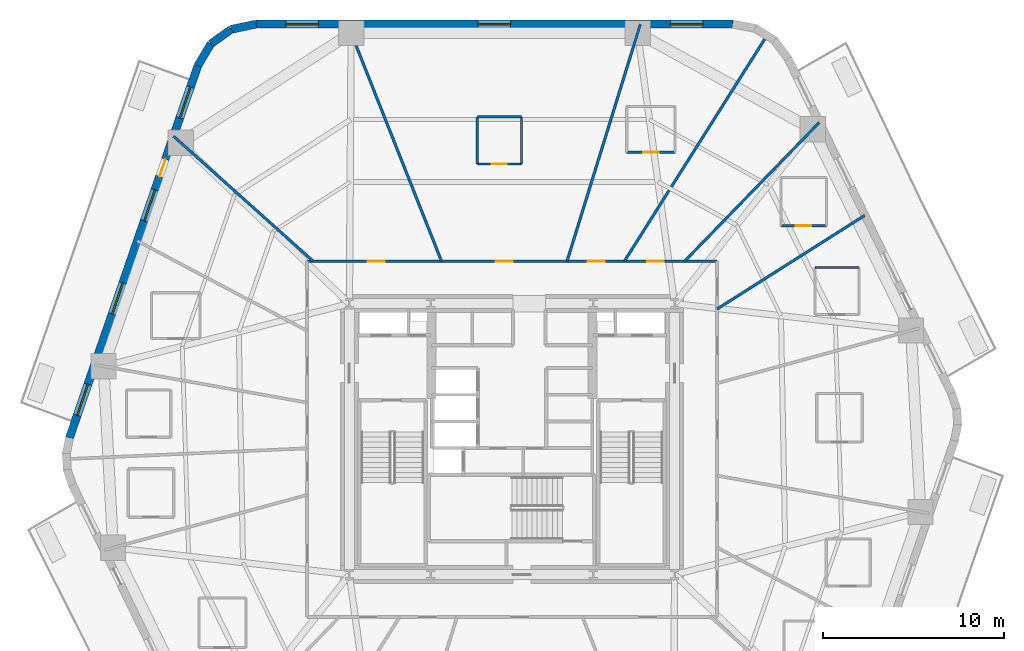
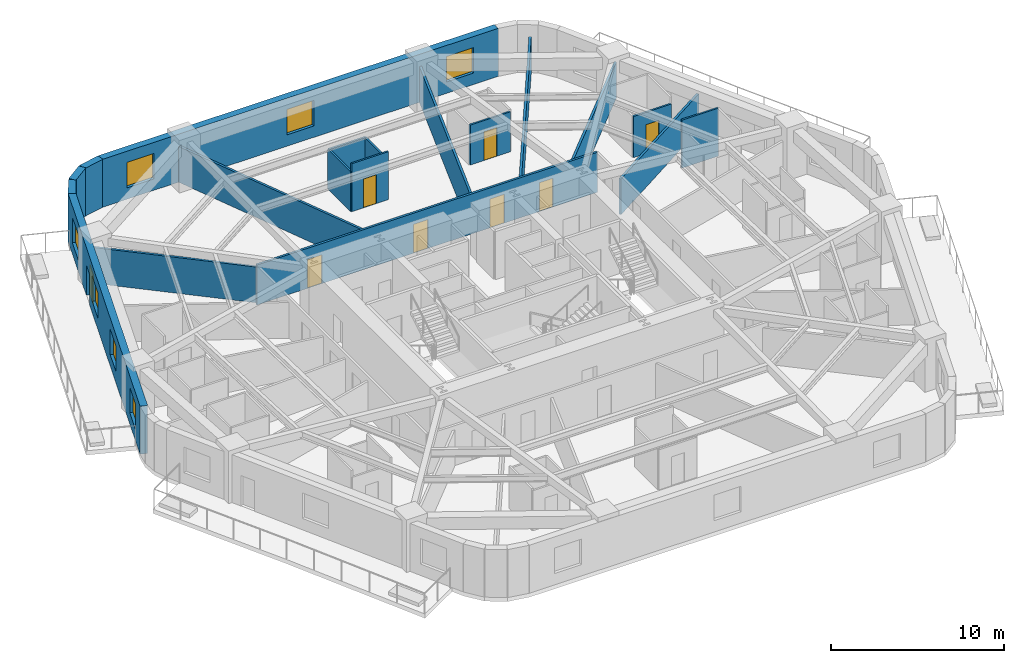
# One storey, part 6 of 10: 19 walls, 8 doors, 7 windows, 15 openings.
"""IFC4 building model written with IfcOpenShell, lengths in metres."""

from ifc_helpers import new_model, si_unit, direction, frame, frame_2d, origin, place, context, subcontext, project, spatial, rectangle, extrude, material, layer, layer_set, type_object, element, fill, save


model = new_model("IFC4")

# Units and contexts
model_context = context("Model", 3, precision=1e-05, world=origin(), true_north=direction((0.0, 1.0)))
body_context = subcontext(model_context, "Body", "Model", "MODEL_VIEW")
ifc_project = project(units=[si_unit("LENGTHUNIT", "METRE"), si_unit("AREAUNIT", "SQUARE_METRE"), si_unit("VOLUMEUNIT", "CUBIC_METRE"), si_unit("PLANEANGLEUNIT", "RADIAN"), si_unit("MASSUNIT", "GRAM", prefix="KILO")], contexts=[model_context])

# Site, building, storey
site_placement = place(None, origin())
site = spatial("IfcSite", under=ifc_project, at=site_placement, CompositionType="ELEMENT")
building_placement = place(site_placement, origin())
building = spatial("IfcBuilding", under=site, at=building_placement, Name="Kilnhurst Terrace Hotel", CompositionType="ELEMENT")
storey_placement = place(building_placement, frame((0.0, 0.0, 82.300048828125)))
storey = spatial("IfcBuildingStorey", under=building, at=storey_placement, Name="L19", CompositionType="ELEMENT", Elevation=82.300048828125)

# Walls
ifc_material_1 = material(Name="Precast concrete C40/50", Category="concrete")
ifc_layer_1 = layer(ifc_material_1, 0.449951171875, Name="Precast concrete C40/50")
ifc_layer_set_1 = layer_set([ifc_layer_1], Name="Precast concrete C40/50")
wall_type_1 = type_object("IfcWallType", Name="WL-BRK-450", PredefinedType="SOLIDWALL", material=ifc_layer_set_1)
wall_1_placement = place(storey_placement, frame((-14.168212890625, 22.97509765625, 0.0), z_axis=(0.0, 0.0, 1.0), x_axis=(-0.978770371074, -0.204959900243, 0.0)))
element("IfcWall", 1, at=wall_1_placement, inside=storey, type_object=wall_type_1, Name="L19 Rounded Corner Brick Wall C5.1", PredefinedType="SOLIDWALL", context=body_context, shape_type="SweptSolid", body=[
    extrude(rectangle(XDim=1.405517578125, YDim=0.449951171875, at=frame_2d((0.70263671875, 0.0))), origin(), (0.0, 0.0, 1.0), 3.3798828125),
])
wall_2_placement = place(storey_placement, frame((-15.5439453125, 22.68701171875, 0.0), z_axis=(0.0, 0.0, 1.0), x_axis=(-0.814210854316, -0.580569276412, 0.0)))
element("IfcWall", 2, at=wall_2_placement, inside=storey, type_object=wall_type_1, Name="L19 Rounded Corner Brick Wall C5.2", PredefinedType="SOLIDWALL", context=body_context, shape_type="SweptSolid", body=[
    extrude(rectangle(XDim=1.38134765625, YDim=0.449951171875, at=frame_2d((0.690673828125, 0.0))), origin(), (0.0, 0.0, 1.0), 3.3798828125),
])
wall_3_placement = place(storey_placement, frame((-16.668701171875, 21.885009765625, 0.0), z_axis=(0.0, 0.0, 1.0), x_axis=(-0.512936712947, -0.858426425799, 0.0)))
element("IfcWall", 3, at=wall_3_placement, inside=storey, type_object=wall_type_1, Name="L19 Rounded Corner Brick Wall C5.3", PredefinedType="SOLIDWALL", context=body_context, shape_type="SweptSolid", body=[
    extrude(rectangle(XDim=1.405517578125, YDim=0.449951171875, at=frame_2d((0.70263671875, 0.0))), origin(), (0.0, 0.0, 1.0), 3.3798828125),
])

# Wall, openings, windows
wall_4_placement = place(storey_placement, frame((12.220947265625, 22.97509765625, 0.0), z_axis=(0.0, 0.0, 1.0), x_axis=(-1.0, 0.0, 0.0)))
wall_4 = element("IfcWall", 4, at=wall_4_placement, inside=storey, type_object=wall_type_1, Name="L19 Exterior Brick Facade Wall F4", PredefinedType="SOLIDWALL", context=body_context, shape_type="SweptSolid", body=[
    extrude(rectangle(XDim=26.38916015625, YDim=0.449951171875, at=frame_2d((13.194580078125, 0.0))), origin(), (0.0, 0.0, 1.0), 3.3798828125),
])
opening_1_placement = place(wall_4_placement, frame((1.653076171875, 0.0, 0.800048828125)))
opening_1 = element("IfcOpeningElement", 5, at=opening_1_placement, cuts=wall_4, Name="Opening W-01", PredefinedType="OPENING", context=body_context, shape_type="SweptSolid", body=[
    extrude(rectangle(XDim=1.800048828125, YDim=1.800048828125, at=frame_2d((0.89990234375, 0.89990234375))), frame((0.0, 0.23486328125, 0.0), z_axis=(0.0, -1.0, 0.0), x_axis=(1.0, 0.0, 0.0)), (0.0, 0.0, 1.0), 0.469970703125),
])
opening_2_placement = place(wall_4_placement, frame((12.2958984375, 0.0, 0.800048828125)))
opening_2 = element("IfcOpeningElement", 6, at=opening_2_placement, cuts=wall_4, Name="Opening W-01", PredefinedType="OPENING", context=body_context, shape_type="SweptSolid", body=[
    extrude(rectangle(XDim=1.800048828125, YDim=1.800048828125, at=frame_2d((0.89990234375, 0.89990234375))), frame((0.0, 0.23486328125, 0.0), z_axis=(0.0, -1.0, 0.0), x_axis=(1.0, 0.0, 0.0)), (0.0, 0.0, 1.0), 0.469970703125),
])
opening_3_placement = place(wall_4_placement, frame((22.93798828125, 0.0, 0.800048828125)))
opening_3 = element("IfcOpeningElement", 7, at=opening_3_placement, cuts=wall_4, Name="Opening W-01", PredefinedType="OPENING", context=body_context, shape_type="SweptSolid", body=[
    extrude(rectangle(XDim=1.800048828125, YDim=1.800048828125, at=frame_2d((0.89990234375, 0.89990234375))), frame((0.0, 0.23486328125, 0.0), z_axis=(0.0, -1.0, 0.0), x_axis=(1.0, 0.0, 0.0)), (0.0, 0.0, 1.0), 0.469970703125),
])
ifc_material_2 = material(Name="Thermally Broken Bronze Aluminium Alloy 6063-T6 and Low-E Glass", Category="aluminium")
window_type = type_object("IfcWindowType", Name="WIN-1800X1800", PartitioningType="SINGLE_PANEL", PredefinedType="WINDOW", material=ifc_material_2)
window_1_placement = place(opening_1_placement, origin())
window_1 = element("IfcWindow", 8, at=window_1_placement, inside=storey, type_object=window_type, Name="L19 Deep-Set Masonry Window F4.1", OverallHeight=1.800048828125, OverallWidth=1.800048828125, PartitioningType="SINGLE_PANEL", PredefinedType="WINDOW", context=body_context, shape_type="SweptSolid", body=[
    extrude(rectangle(XDim=1.800048828125, YDim=1.800048828125, at=frame_2d((0.89990234375, 0.89990234375))), frame((0.0, 0.030029296875, 0.0), z_axis=(0.0, -1.0, 0.0), x_axis=(1.0, 0.0, 0.0)), (0.0, 0.0, 1.0), 0.06005859375),
])
fill(opening_1, window_1)
window_2_placement = place(opening_2_placement, origin())
window_2 = element("IfcWindow", 9, at=window_2_placement, inside=storey, type_object=window_type, Name="L19 Deep-Set Masonry Window F4.2", OverallHeight=1.800048828125, OverallWidth=1.800048828125, PartitioningType="SINGLE_PANEL", PredefinedType="WINDOW", context=body_context, shape_type="SweptSolid", body=[
    extrude(rectangle(XDim=1.800048828125, YDim=1.800048828125, at=frame_2d((0.89990234375, 0.89990234375))), frame((0.0, 0.030029296875, 0.0), z_axis=(0.0, -1.0, 0.0), x_axis=(1.0, 0.0, 0.0)), (0.0, 0.0, 1.0), 0.06005859375),
])
fill(opening_2, window_2)
window_3_placement = place(opening_3_placement, origin())
window_3 = element("IfcWindow", 10, at=window_3_placement, inside=storey, type_object=window_type, Name="L19 Deep-Set Masonry Window F4.3", OverallHeight=1.800048828125, OverallWidth=1.800048828125, PartitioningType="SINGLE_PANEL", PredefinedType="WINDOW", context=body_context, shape_type="SweptSolid", body=[
    extrude(rectangle(XDim=1.800048828125, YDim=1.800048828125, at=frame_2d((0.89990234375, 0.89990234375))), frame((0.0, 0.030029296875, 0.0), z_axis=(0.0, -1.0, 0.0), x_axis=(1.0, 0.0, 0.0)), (0.0, 0.0, 1.0), 0.06005859375),
])
fill(opening_3, window_3)

# Wall, openings, door, windows
wall_5_placement = place(storey_placement, frame((-17.3896484375, 20.678466796875, 0.0), z_axis=(0.0, 0.0, 1.0), x_axis=(-0.326068018294, -0.945346310854, 0.0)))
wall_5 = element("IfcWall", 11, at=wall_5_placement, inside=storey, type_object=wall_type_1, Name="L19 Exterior Brick Facade Wall F5", PredefinedType="SOLIDWALL", context=body_context, shape_type="SweptSolid", body=[
    extrude(rectangle(XDim=21.79296875, YDim=0.449951171875, at=frame_2d((10.896484375, 0.0))), origin(), (0.0, 0.0, 1.0), 3.3798828125),
])
opening_4_placement = place(wall_5_placement, frame((5.492919921875, 0.0, 0.0)))
opening_4 = element("IfcOpeningElement", 12, at=opening_4_placement, cuts=wall_5, Name="Opening BD-1000", PredefinedType="OPENING", context=body_context, shape_type="SweptSolid", body=[
    extrude(rectangle(XDim=1.0, YDim=2.14990234375, at=frame_2d((0.5, 1.074951171875))), frame((0.0, 0.23486328125, 0.0), z_axis=(0.0, -1.0, 0.0), x_axis=(1.0, 0.0, 0.0)), (0.0, 0.0, 1.0), 0.469970703125),
])
opening_5_placement = place(wall_5_placement, frame((1.260009765625, 0.0, 0.800048828125)))
opening_5 = element("IfcOpeningElement", 13, at=opening_5_placement, cuts=wall_5, Name="Opening W-01", PredefinedType="OPENING", context=body_context, shape_type="SweptSolid", body=[
    extrude(rectangle(XDim=1.800048828125, YDim=1.800048828125, at=frame_2d((0.89990234375, 0.89990234375))), frame((0.0, 0.23486328125, 0.0), z_axis=(0.0, -1.0, 0.0), x_axis=(1.0, 0.0, 0.0)), (0.0, 0.0, 1.0), 0.469970703125),
])
opening_6_placement = place(wall_5_placement, frame((7.282958984375, 0.0, 0.800048828125)))
opening_6 = element("IfcOpeningElement", 14, at=opening_6_placement, cuts=wall_5, Name="Opening W-01", PredefinedType="OPENING", context=body_context, shape_type="SweptSolid", body=[
    extrude(rectangle(XDim=1.800048828125, YDim=1.800048828125, at=frame_2d((0.89990234375, 0.89990234375))), frame((0.0, 0.23486328125, 0.0), z_axis=(0.0, -1.0, 0.0), x_axis=(1.0, 0.0, 0.0)), (0.0, 0.0, 1.0), 0.469970703125),
])
opening_7_placement = place(wall_5_placement, frame((12.736083984375, 0.0, 0.800048828125)))
opening_7 = element("IfcOpeningElement", 15, at=opening_7_placement, cuts=wall_5, Name="Opening W-01", PredefinedType="OPENING", context=body_context, shape_type="SweptSolid", body=[
    extrude(rectangle(XDim=1.800048828125, YDim=1.800048828125, at=frame_2d((0.89990234375, 0.89990234375))), frame((0.0, 0.23486328125, 0.0), z_axis=(0.0, -1.0, 0.0), x_axis=(1.0, 0.0, 0.0)), (0.0, 0.0, 1.0), 0.469970703125),
])
opening_8_placement = place(wall_5_placement, frame((18.679931640625, 0.0, 0.800048828125)))
opening_8 = element("IfcOpeningElement", 16, at=opening_8_placement, cuts=wall_5, Name="Opening W-01", PredefinedType="OPENING", context=body_context, shape_type="SweptSolid", body=[
    extrude(rectangle(XDim=1.800048828125, YDim=1.800048828125, at=frame_2d((0.89990234375, 0.89990234375))), frame((0.0, 0.23486328125, 0.0), z_axis=(0.0, -1.0, 0.0), x_axis=(1.0, 0.0, 0.0)), (0.0, 0.0, 1.0), 0.469970703125),
])
ifc_material_3 = material(Name="Thermally Broken Bronze Aluminium Alloy 6063-T6 and Laminated Glass", Category="aluminium")
door_type_1 = type_object("IfcDoorType", Name="DR-EXT-BAL-1000", OperationType="NOTDEFINED", PredefinedType="DOOR", material=ifc_material_3)
door_1_placement = place(opening_4_placement, origin())
door_1 = element("IfcDoor", 17, at=door_1_placement, inside=storey, type_object=door_type_1, Name="L19 Planted Balcony Door BAL-L2A", OperationType="SINGLE_SWING_LEFT", OverallHeight=2.14990234375, OverallWidth=1.0, PredefinedType="DOOR", context=body_context, shape_type="SweptSolid", body=[
    extrude(rectangle(XDim=1.0, YDim=2.14990234375, at=frame_2d((0.5, 1.074951171875))), frame((0.0, 0.02490234375, 0.0), z_axis=(0.0, -1.0, 0.0), x_axis=(1.0, 0.0, 0.0)), (0.0, 0.0, 1.0), 0.050048828125),
])
fill(opening_4, door_1)
window_4_placement = place(opening_5_placement, origin())
window_4 = element("IfcWindow", 18, at=window_4_placement, inside=storey, type_object=window_type, Name="L19 Deep-Set Masonry Window F5.1", OverallHeight=1.800048828125, OverallWidth=1.800048828125, PartitioningType="SINGLE_PANEL", PredefinedType="WINDOW", context=body_context, shape_type="SweptSolid", body=[
    extrude(rectangle(XDim=1.800048828125, YDim=1.800048828125, at=frame_2d((0.89990234375, 0.89990234375))), frame((0.0, 0.030029296875, 0.0), z_axis=(0.0, -1.0, 0.0), x_axis=(1.0, 0.0, 0.0)), (0.0, 0.0, 1.0), 0.06005859375),
])
fill(opening_5, window_4)
window_5_placement = place(opening_6_placement, origin())
window_5 = element("IfcWindow", 19, at=window_5_placement, inside=storey, type_object=window_type, Name="L19 Deep-Set Masonry Window F5.2", OverallHeight=1.800048828125, OverallWidth=1.800048828125, PartitioningType="SINGLE_PANEL", PredefinedType="WINDOW", context=body_context, shape_type="SweptSolid", body=[
    extrude(rectangle(XDim=1.800048828125, YDim=1.800048828125, at=frame_2d((0.89990234375, 0.89990234375))), frame((0.0, 0.030029296875, 0.0), z_axis=(0.0, -1.0, 0.0), x_axis=(1.0, 0.0, 0.0)), (0.0, 0.0, 1.0), 0.06005859375),
])
fill(opening_6, window_5)
window_6_placement = place(opening_7_placement, origin())
window_6 = element("IfcWindow", 20, at=window_6_placement, inside=storey, type_object=window_type, Name="L19 Deep-Set Masonry Window F5.3", OverallHeight=1.800048828125, OverallWidth=1.800048828125, PartitioningType="SINGLE_PANEL", PredefinedType="WINDOW", context=body_context, shape_type="SweptSolid", body=[
    extrude(rectangle(XDim=1.800048828125, YDim=1.800048828125, at=frame_2d((0.89990234375, 0.89990234375))), frame((0.0, 0.030029296875, 0.0), z_axis=(0.0, -1.0, 0.0), x_axis=(1.0, 0.0, 0.0)), (0.0, 0.0, 1.0), 0.06005859375),
])
fill(opening_7, window_6)
window_7_placement = place(opening_8_placement, origin())
window_7 = element("IfcWindow", 21, at=window_7_placement, inside=storey, type_object=window_type, Name="L19 Deep-Set Masonry Window F5.4", OverallHeight=1.800048828125, OverallWidth=1.800048828125, PartitioningType="SINGLE_PANEL", PredefinedType="WINDOW", context=body_context, shape_type="SweptSolid", body=[
    extrude(rectangle(XDim=1.800048828125, YDim=1.800048828125, at=frame_2d((0.89990234375, 0.89990234375))), frame((0.0, 0.030029296875, 0.0), z_axis=(0.0, -1.0, 0.0), x_axis=(1.0, 0.0, 0.0)), (0.0, 0.0, 1.0), 0.06005859375),
])
fill(opening_8, window_7)

# Wall, openings, doors
ifc_material_4 = material(Name="Acoustic Double-Gypsum Corridor Partition Assembly")
ifc_layer_2 = layer(ifc_material_4, 0.14990234375, Name="Acoustic Double-Gypsum Corridor Partition Assembly")
ifc_layer_set_2 = layer_set([ifc_layer_2], Name="Acoustic Double-Gypsum Corridor Partition Assembly")
wall_type_2 = type_object("IfcWallType", Name="WL-COR-150", PredefinedType="PARTITIONING", material=ifc_layer_set_2)
wall_6_placement = place(storey_placement, frame((-11.35009765625, 9.85009765625, 0.0), z_axis=(0.0, 0.0, 1.0), x_axis=(1.0, 0.0, 0.0)))
wall_6 = element("IfcWall", 22, at=wall_6_placement, inside=storey, type_object=wall_type_2, Name="L19 Interior Wall WL-L19-COR-02", PredefinedType="PARTITIONING", context=body_context, shape_type="SweptSolid", body=[
    extrude(rectangle(XDim=22.7001953125, YDim=0.14990234375, at=frame_2d((11.35009765625, 0.0))), origin(), (0.0, 0.0, 1.0), 2.820068359375),
])
opening_9_placement = place(wall_6_placement, frame((18.8369140625, 0.0, 0.0)))
opening_9 = element("IfcOpeningElement", 23, at=opening_9_placement, cuts=wall_6, Name="Opening D-60C", PredefinedType="OPENING", context=body_context, shape_type="SweptSolid", body=[
    extrude(rectangle(XDim=0.89990234375, YDim=2.030029296875, at=frame_2d((0.449951171875, 1.01513671875))), frame((0.0, 0.0849609375, 0.0), z_axis=(0.0, -1.0, 0.0), x_axis=(1.0, 0.0, 0.0)), (0.0, 0.0, 1.0), 0.169921875),
])
opening_10_placement = place(wall_6_placement, frame((15.531982421875, 0.0, 0.0)))
opening_10 = element("IfcOpeningElement", 24, at=opening_10_placement, cuts=wall_6, Name="Opening D-60B", PredefinedType="OPENING", context=body_context, shape_type="SweptSolid", body=[
    extrude(rectangle(XDim=0.949951171875, YDim=2.030029296875, at=frame_2d((0.47509765625, 1.01513671875))), frame((0.0, 0.0849609375, 0.0), z_axis=(0.0, -1.0, 0.0), x_axis=(1.0, 0.0, 0.0)), (0.0, 0.0, 1.0), 0.169921875),
])
opening_11_placement = place(wall_6_placement, frame((10.444091796875, 0.0, 0.0)))
opening_11 = element("IfcOpeningElement", 25, at=opening_11_placement, cuts=wall_6, Name="Opening D-60B", PredefinedType="OPENING", context=body_context, shape_type="SweptSolid", body=[
    extrude(rectangle(XDim=0.949951171875, YDim=2.030029296875, at=frame_2d((0.47509765625, 1.01513671875))), frame((0.0, 0.0849609375, 0.0), z_axis=(0.0, -1.0, 0.0), x_axis=(1.0, 0.0, 0.0)), (0.0, 0.0, 1.0), 0.169921875),
])
opening_12_placement = place(wall_6_placement, frame((3.368896484375, 0.0, 0.0)))
opening_12 = element("IfcOpeningElement", 26, at=opening_12_placement, cuts=wall_6, Name="Opening D-60B", PredefinedType="OPENING", context=body_context, shape_type="SweptSolid", body=[
    extrude(rectangle(XDim=0.949951171875, YDim=2.030029296875, at=frame_2d((0.47509765625, 1.01513671875))), frame((0.0, 0.0849609375, 0.0), z_axis=(0.0, -1.0, 0.0), x_axis=(1.0, 0.0, 0.0)), (0.0, 0.0, 1.0), 0.169921875),
])
ifc_material_5 = material(Name="Painted Solid-Core Service Fire Door")
door_type_2 = type_object("IfcDoorType", Name="DR-FD60-900", OperationType="NOTDEFINED", PredefinedType="DOOR", material=ifc_material_5)
door_2_placement = place(opening_9_placement, origin())
door_2 = element("IfcDoor", 27, at=door_2_placement, inside=storey, type_object=door_type_2, Name="L19 Executive Work Office Door 3", OperationType="SINGLE_SWING_LEFT", OverallHeight=2.030029296875, OverallWidth=0.89990234375, PredefinedType="DOOR", context=body_context, shape_type="SweptSolid", body=[
    extrude(rectangle(XDim=0.89990234375, YDim=2.030029296875, at=frame_2d((0.449951171875, 1.01513671875))), frame((0.0, 0.02490234375, 0.0), z_axis=(0.0, -1.0, 0.0), x_axis=(1.0, 0.0, 0.0)), (0.0, 0.0, 1.0), 0.050048828125),
])
fill(opening_9, door_2)
ifc_material_6 = material(Name="Acoustic Walnut Veneer Solid-Core Fire Door")
door_type_3 = type_object("IfcDoorType", Name="DR-FD60-950", OperationType="NOTDEFINED", PredefinedType="DOOR", material=ifc_material_6)
door_3_placement = place(opening_10_placement, origin())
door_3 = element("IfcDoor", 28, at=door_3_placement, inside=storey, type_object=door_type_3, Name="L19 Guest Room Entry Door 4", OperationType="SINGLE_SWING_RIGHT", OverallHeight=2.030029296875, OverallWidth=0.949951171875, PredefinedType="DOOR", context=body_context, shape_type="SweptSolid", body=[
    extrude(rectangle(XDim=0.949951171875, YDim=2.030029296875, at=frame_2d((0.47509765625, 1.01513671875))), frame((0.0, 0.02490234375, 0.0), z_axis=(0.0, -1.0, 0.0), x_axis=(1.0, 0.0, 0.0)), (0.0, 0.0, 1.0), 0.050048828125),
])
fill(opening_10, door_3)
door_4_placement = place(opening_11_placement, origin())
door_4 = element("IfcDoor", 29, at=door_4_placement, inside=storey, type_object=door_type_3, Name="L19 Executive Suite Entry Door 5", OperationType="SINGLE_SWING_LEFT", OverallHeight=2.030029296875, OverallWidth=0.949951171875, PredefinedType="DOOR", context=body_context, shape_type="SweptSolid", body=[
    extrude(rectangle(XDim=0.949951171875, YDim=2.030029296875, at=frame_2d((0.47509765625, 1.01513671875))), frame((0.0, 0.02490234375, 0.0), z_axis=(0.0, -1.0, 0.0), x_axis=(1.0, 0.0, 0.0)), (0.0, 0.0, 1.0), 0.050048828125),
])
fill(opening_11, door_4)
door_5_placement = place(opening_12_placement, origin())
door_5 = element("IfcDoor", 30, at=door_5_placement, inside=storey, type_object=door_type_3, Name="L19 Club Tea Lounge Door", OperationType="SINGLE_SWING_RIGHT", OverallHeight=2.030029296875, OverallWidth=0.949951171875, PredefinedType="DOOR", context=body_context, shape_type="SweptSolid", body=[
    extrude(rectangle(XDim=0.949951171875, YDim=2.030029296875, at=frame_2d((0.47509765625, 1.01513671875))), frame((0.0, 0.02490234375, 0.0), z_axis=(0.0, -1.0, 0.0), x_axis=(1.0, 0.0, 0.0)), (0.0, 0.0, 1.0), 0.050048828125),
])
fill(opening_12, door_5)

# Walls
ifc_material_7 = material(Name="STC-58 Acoustic Twin-Frame Guestroom Demising Partition")
ifc_layer_3 = layer(ifc_material_7, 0.14990234375, Name="STC-58 Acoustic Twin-Frame Guestroom Demising Partition")
ifc_layer_set_3 = layer_set([ifc_layer_3], Name="STC-58 Acoustic Twin-Frame Guestroom Demising Partition")
wall_type_3 = type_object("IfcWallType", Name="WL-DEM-150", PredefinedType="PARTITIONING", material=ifc_layer_set_3)
wall_7_placement = place(storey_placement, frame((11.35009765625, 7.198974609375, 0.0), z_axis=(0.0, 0.0, 1.0), x_axis=(0.844458213289, 0.535621439087, 0.0)))
element("IfcWall", 31, at=wall_7_placement, inside=storey, type_object=wall_type_3, Name="L19 Interior Wall WL-L19-DEM-MID01-02-1", PredefinedType="PARTITIONING", context=body_context, shape_type="SweptSolid", body=[
    extrude(rectangle(XDim=9.67919921875, YDim=0.14990234375, at=frame_2d((4.839599609375, 0.0))), origin(), (0.0, 0.0, 1.0), 2.52001953125),
])
wall_8_placement = place(storey_placement, frame((9.5576171875, 9.85009765625, 0.0), z_axis=(0.0, 0.0, 1.0), x_axis=(0.69638346089, 0.717669893056, 0.0)))
element("IfcWall", 32, at=wall_8_placement, inside=storey, type_object=wall_type_3, Name="L19 Interior Wall WL-L19-DEM-COL02-03-1", PredefinedType="PARTITIONING", context=body_context, shape_type="SweptSolid", body=[
    extrude(rectangle(XDim=10.700927734375, YDim=0.14990234375, at=frame_2d((5.3505859375, 0.0))), origin(), (0.0, 0.0, 1.0), 2.52001953125),
])
wall_9_placement = place(storey_placement, frame((6.222412109375, 9.85009765625, 0.0), z_axis=(0.0, 0.0, 1.0), x_axis=(0.534069056435, 0.845440857162, 0.0)))
element("IfcWall", 33, at=wall_9_placement, inside=storey, type_object=wall_type_3, Name="L19 Interior Wall WL-L19-DEM-MID02-04-1", PredefinedType="PARTITIONING", context=body_context, shape_type="SweptSolid", body=[
    extrude(rectangle(XDim=14.611328125, YDim=0.14990234375, at=frame_2d((7.3056640625, 0.0))), origin(), (0.0, 0.0, 1.0), 2.52001953125),
])
wall_10_placement = place(storey_placement, frame((3.047607421875, 9.85009765625, 0.0), z_axis=(0.0, 0.0, 1.0), x_axis=(0.295553992761, 0.955326037206, 0.0)))
element("IfcWall", 34, at=wall_10_placement, inside=storey, type_object=wall_type_3, Name="L19 Interior Wall WL-L19-DEM-COL03-05-1", PredefinedType="PARTITIONING", context=body_context, shape_type="SweptSolid", body=[
    extrude(rectangle(XDim=13.73876953125, YDim=0.14990234375, at=frame_2d((6.869384765625, 0.0))), origin(), (0.0, 0.0, 1.0), 2.52001953125),
])
wall_11_placement = place(storey_placement, frame((-3.90185546875, 9.85009765625, 0.0), z_axis=(0.0, 0.0, 1.0), x_axis=(-0.36828765711, 0.929711891728, 0.0)))
element("IfcWall", 35, at=wall_11_placement, inside=storey, type_object=wall_type_3, Name="L19 Interior Wall WL-L19-DEM-COL04-06-1", PredefinedType="PARTITIONING", context=body_context, shape_type="SweptSolid", body=[
    extrude(rectangle(XDim=14.1171875, YDim=0.14990234375, at=frame_2d((7.05859375, 0.0))), origin(), (0.0, 0.0, 1.0), 2.52001953125),
])
wall_12_placement = place(storey_placement, frame((-11.006591796875, 9.85009765625, 0.0), z_axis=(0.0, 0.0, 1.0), x_axis=(-0.745177305978, 0.666866390407, 0.0)))
element("IfcWall", 36, at=wall_12_placement, inside=storey, type_object=wall_type_3, Name="L19 Interior Wall WL-L19-DEM-COL05-07-1", PredefinedType="PARTITIONING", context=body_context, shape_type="SweptSolid", body=[
    extrude(rectangle(XDim=10.375244140625, YDim=0.14990234375, at=frame_2d((5.1875, 0.0))), origin(), (0.0, 0.0, 1.0), 2.52001953125),
])
ifc_material_8 = material(Name="120 mm Moisture-Resistant Tile-Backed Bathroom Partition")
ifc_layer_4 = layer(ifc_material_8, 0.1201171875, Name="120 mm Moisture-Resistant Tile-Backed Bathroom Partition")
ifc_layer_set_4 = layer_set([ifc_layer_4], Name="120 mm Moisture-Resistant Tile-Backed Bathroom Partition")
wall_type_4 = type_object("IfcWallType", Name="WL-PART-120", PredefinedType="PARTITIONING", material=ifc_layer_set_4)
wall_13_placement = place(storey_placement, frame((19.216064453125, 9.501953125, 0.0), z_axis=(0.0, 0.0, 1.0), x_axis=(-1.0, 0.0, 0.0)))
element("IfcWall", 37, at=wall_13_placement, inside=storey, type_object=wall_type_4, Name="L19 Interior Wall WL-L19-BTH-01-3", PredefinedType="PARTITIONING", context=body_context, shape_type="SweptSolid", body=[
    extrude(rectangle(XDim=2.440185546875, YDim=0.1201171875, at=frame_2d((1.22021484375, 0.0))), origin(), (0.0, 0.0, 1.0), 3.3798828125),
])

# Wall, opening, door
wall_14_placement = place(storey_placement, frame((14.881103515625, 11.80908203125, 0.0), z_axis=(0.0, 0.0, 1.0), x_axis=(1.0, 0.0, 0.0)))
wall_14 = element("IfcWall", 38, at=wall_14_placement, inside=storey, type_object=wall_type_4, Name="L19 Interior Wall WL-L19-BTH-02-1", PredefinedType="PARTITIONING", context=body_context, shape_type="SweptSolid", body=[
    extrude(rectangle(XDim=2.519775390625, YDim=0.1201171875, at=frame_2d((1.259765625, 0.0))), origin(), (0.0, 0.0, 1.0), 2.906494140625),
])
opening_13_placement = place(wall_14_placement, frame((0.8349609375, 0.0, 0.0)))
opening_13 = element("IfcOpeningElement", 39, at=opening_13_placement, cuts=wall_14, Name="Opening D-08A", PredefinedType="OPENING", context=body_context, shape_type="SweptSolid", body=[
    extrude(rectangle(XDim=0.85009765625, YDim=2.030029296875, at=frame_2d((0.425048828125, 1.01513671875))), frame((0.0, 0.070068359375, 0.0), z_axis=(0.0, -1.0, 0.0), x_axis=(1.0, 0.0, 0.0)), (0.0, 0.0, 1.0), 0.14013671875),
])
ifc_material_9 = material(Name="Moisture-Resistant Lacquered En-suite Bathroom Door")
door_type_4 = type_object("IfcDoorType", Name="DR-INT-850", OperationType="NOTDEFINED", PredefinedType="DOOR", material=ifc_material_9)
door_6_placement = place(opening_13_placement, origin())
door_6 = element("IfcDoor", 40, at=door_6_placement, inside=storey, type_object=door_type_4, Name="L19 En-suite Bathroom Door 2", OperationType="SINGLE_SWING_LEFT", OverallHeight=2.030029296875, OverallWidth=0.85009765625, PredefinedType="DOOR", context=body_context, shape_type="SweptSolid", body=[
    extrude(rectangle(XDim=0.85009765625, YDim=2.030029296875, at=frame_2d((0.425048828125, 1.01513671875))), frame((0.0, 0.02490234375, 0.0), z_axis=(0.0, -1.0, 0.0), x_axis=(1.0, 0.0, 0.0)), (0.0, 0.0, 1.0), 0.050048828125),
])
fill(opening_13, door_6)

wall_15_placement = place(storey_placement, frame((6.35107421875, 15.876953125, 0.0), z_axis=(0.0, 0.0, 1.0), x_axis=(1.0, 0.0, 0.0)))
wall_15 = element("IfcWall", 41, at=wall_15_placement, inside=storey, type_object=wall_type_4, Name="L19 Interior Wall WL-L19-BTH-04-1", PredefinedType="PARTITIONING", context=body_context, shape_type="SweptSolid", body=[
    extrude(rectangle(XDim=2.679931640625, YDim=0.1201171875, at=frame_2d((1.33984375, 0.0))), origin(), (0.0, 0.0, 1.0), 2.820068359375),
])
opening_14_placement = place(wall_15_placement, frame((0.9150390625, 0.0, 0.0)))
opening_14 = element("IfcOpeningElement", 42, at=opening_14_placement, cuts=wall_15, Name="Opening D-08A", PredefinedType="OPENING", context=body_context, shape_type="SweptSolid", body=[
    extrude(rectangle(XDim=0.85009765625, YDim=2.030029296875, at=frame_2d((0.425048828125, 1.01513671875))), frame((0.0, 0.070068359375, 0.0), z_axis=(0.0, -1.0, 0.0), x_axis=(1.0, 0.0, 0.0)), (0.0, 0.0, 1.0), 0.14013671875),
])
door_7_placement = place(opening_14_placement, origin())
door_7 = element("IfcDoor", 43, at=door_7_placement, inside=storey, type_object=door_type_4, Name="L19 En-suite Bathroom Door 4", OperationType="SINGLE_SWING_LEFT", OverallHeight=2.030029296875, OverallWidth=0.85009765625, PredefinedType="DOOR", context=body_context, shape_type="SweptSolid", body=[
    extrude(rectangle(XDim=0.85009765625, YDim=2.030029296875, at=frame_2d((0.425048828125, 1.01513671875))), frame((0.0, 0.02490234375, 0.0), z_axis=(0.0, -1.0, 0.0), x_axis=(1.0, 0.0, 0.0)), (0.0, 0.0, 1.0), 0.050048828125),
])
fill(opening_14, door_7)

wall_16_placement = place(storey_placement, frame((-1.922119140625, 15.23193359375, 0.0), z_axis=(0.0, 0.0, 1.0), x_axis=(1.0, 0.0, 0.0)))
wall_16 = element("IfcWall", 44, at=wall_16_placement, inside=storey, type_object=wall_type_4, Name="L19 Interior Wall WL-L19-BTH-05-1", PredefinedType="PARTITIONING", context=body_context, shape_type="SweptSolid", body=[
    extrude(rectangle(XDim=2.440185546875, YDim=0.1201171875, at=frame_2d((1.22021484375, 0.0))), origin(), (0.0, 0.0, 1.0), 3.3798828125),
])
opening_15_placement = place(wall_16_placement, frame((0.794921875, 0.0, 0.0)))
opening_15 = element("IfcOpeningElement", 45, at=opening_15_placement, cuts=wall_16, Name="Opening D-08A", PredefinedType="OPENING", context=body_context, shape_type="SweptSolid", body=[
    extrude(rectangle(XDim=0.85009765625, YDim=2.030029296875, at=frame_2d((0.425048828125, 1.01513671875))), frame((0.0, 0.070068359375, 0.0), z_axis=(0.0, -1.0, 0.0), x_axis=(1.0, 0.0, 0.0)), (0.0, 0.0, 1.0), 0.14013671875),
])
door_8_placement = place(opening_15_placement, origin())
door_8 = element("IfcDoor", 46, at=door_8_placement, inside=storey, type_object=door_type_4, Name="L19 En-suite Bathroom Door 5", OperationType="SINGLE_SWING_RIGHT", OverallHeight=2.030029296875, OverallWidth=0.85009765625, PredefinedType="DOOR", context=body_context, shape_type="SweptSolid", body=[
    extrude(rectangle(XDim=0.85009765625, YDim=2.030029296875, at=frame_2d((0.425048828125, 1.01513671875))), frame((0.0, 0.02490234375, 0.0), z_axis=(0.0, -1.0, 0.0), x_axis=(1.0, 0.0, 0.0)), (0.0, 0.0, 1.0), 0.050048828125),
])
fill(opening_15, door_8)

# Walls
wall_17_placement = place(storey_placement, frame((0.51806640625, 15.23193359375, 0.0), z_axis=(0.0, 0.0, 1.0), x_axis=(0.0, 1.0, 0.0)))
element("IfcWall", 47, at=wall_17_placement, inside=storey, type_object=wall_type_4, Name="L19 Interior Wall WL-L19-BTH-05-2", PredefinedType="PARTITIONING", context=body_context, shape_type="SweptSolid", body=[
    extrude(rectangle(XDim=2.610107421875, YDim=0.1201171875, at=frame_2d((1.30517578125, 0.0))), origin(), (0.0, 0.0, 1.0), 2.8203125),
])
wall_18_placement = place(storey_placement, frame((0.51806640625, 17.842041015625, 0.0), z_axis=(0.0, 0.0, 1.0), x_axis=(-1.0, 0.0, 0.0)))
element("IfcWall", 48, at=wall_18_placement, inside=storey, type_object=wall_type_4, Name="L19 Interior Wall WL-L19-BTH-05-3", PredefinedType="PARTITIONING", context=body_context, shape_type="SweptSolid", body=[
    extrude(rectangle(XDim=2.440185546875, YDim=0.1201171875, at=frame_2d((1.22021484375, 0.0))), origin(), (0.0, 0.0, 1.0), 2.8203125),
])
wall_19_placement = place(storey_placement, frame((-1.922119140625, 17.842041015625, 0.0), z_axis=(0.0, 0.0, 1.0), x_axis=(0.0, -1.0, 0.0)))
element("IfcWall", 49, at=wall_19_placement, inside=storey, type_object=wall_type_4, Name="L19 Interior Wall WL-L19-BTH-05-4", PredefinedType="PARTITIONING", context=body_context, shape_type="SweptSolid", body=[
    extrude(rectangle(XDim=2.610107421875, YDim=0.1201171875, at=frame_2d((1.30517578125, 0.0))), origin(), (0.0, 0.0, 1.0), 2.8203125),
])

save(model, "model.ifc")
